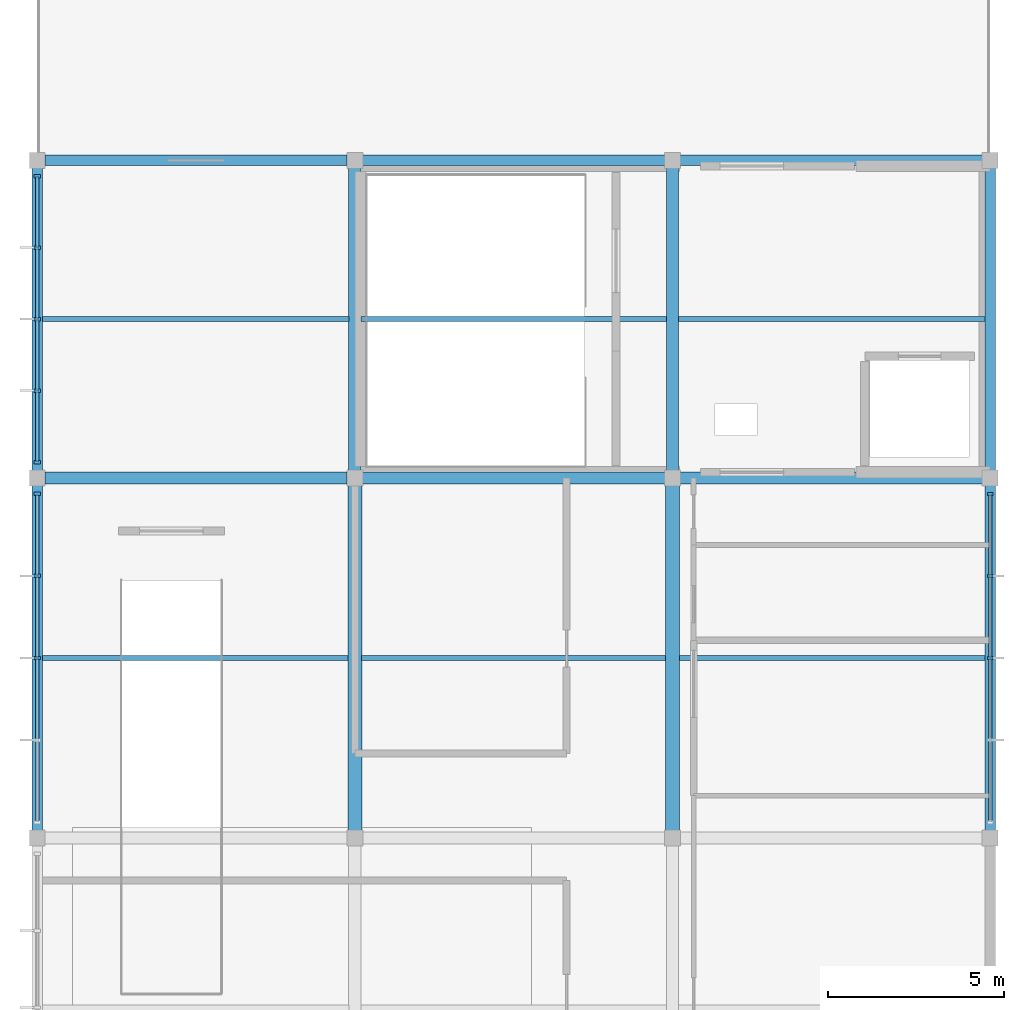
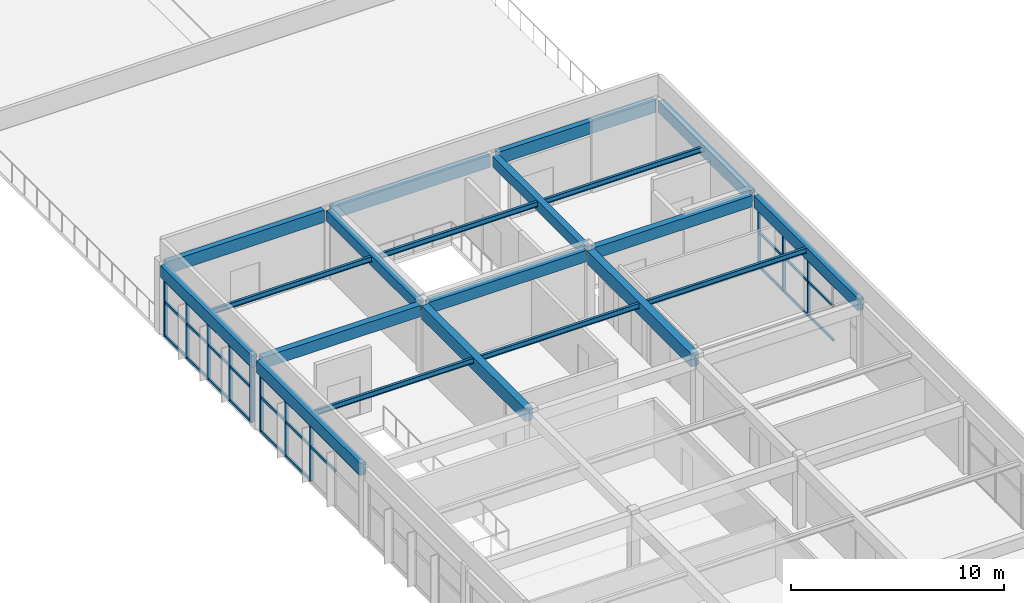
# One storey, part 4 of 10: 33 members, 20 beams, 3 elements without a shape of their own.
"""IFC4 building model written with IfcOpenShell, lengths in metres."""

from ifc_helpers import new_model, si_unit, direction, frame, origin, origin_2d, place, context, subcontext, project, spatial, rectangle, i_section, extrude, material, material_profile, profile_set, type_object, element, aggregate, save


model = new_model("IFC4")

# Units and contexts
model_context = context("Model", 3, precision=1e-05, world=origin(), true_north=direction((0.0, 1.0)))
body_context = subcontext(model_context, "Body", "Model", "MODEL_VIEW")
ifc_project = project(units=[si_unit("LENGTHUNIT", "METRE"), si_unit("AREAUNIT", "SQUARE_METRE"), si_unit("VOLUMEUNIT", "CUBIC_METRE"), si_unit("PLANEANGLEUNIT", "RADIAN"), si_unit("MASSUNIT", "GRAM", prefix="KILO")], contexts=[model_context])

# Site, building, storey
site_placement = place(None, origin())
site = spatial("IfcSite", under=ifc_project, at=site_placement, CompositionType="ELEMENT")
building_placement = place(site_placement, origin())
building = spatial("IfcBuilding", under=site, at=building_placement, Name="Suirenkawa Promenade Aquatics Centre", CompositionType="ELEMENT")
storey_placement = place(building_placement, frame((0.0, 0.0, 18.60009765625)))
storey = spatial("IfcBuildingStorey", under=building, at=storey_placement, Name="L04", CompositionType="ELEMENT", Elevation=18.60009765625)

# Beams
ifc_material_1 = material(Name="Steel IS 2062 E350 (Grade 350)", Category="steel")
ifc_material_profile_1 = material_profile(ifc_material_1, i_section(OverallWidth=0.139892578125, OverallDepth=0.300048828125, WebThickness=0.008056640625, FlangeThickness=0.012939453125, at=origin_2d()), Name="ISMB 300", Category="steel")
ifc_profile_set_1 = profile_set([ifc_material_profile_1], Name="Steel IS 2062 E350 (Grade 350)")
beam_type_1 = type_object("IfcBeamType", Name="BT-JOIST-ISMB300", PredefinedType="JOIST", material=ifc_profile_set_1)
beam_1_placement = place(storey_placement, frame((0.14404296875, 54.300048828125, 3.81787109375), z_axis=(1.0, 0.0, 0.0), x_axis=(0.0, 1.0, 0.0)))
element("IfcBeam", 1, at=beam_1_placement, inside=storey, type_object=beam_type_1, Name="Secondary floor joist JS-02 BM-0892", PredefinedType="JOIST", context=body_context, shape_type="SweptSolid", body=[
    extrude(i_section(OverallWidth=0.139892578125, OverallDepth=0.300048828125, WebThickness=0.008056640625, FlangeThickness=0.012939453125, at=origin_2d()), origin(), (0.0, 0.0, 1.0), 8.661865234375),
])
beam_2_placement = place(storey_placement, frame((0.14404296875, 63.89990234375, 3.81787109375), z_axis=(1.0, 0.0, 0.0), x_axis=(0.0, 1.0, 0.0)))
element("IfcBeam", 2, at=beam_2_placement, inside=storey, type_object=beam_type_1, Name="Secondary floor joist JS-02 BM-0893", PredefinedType="JOIST", context=body_context, shape_type="SweptSolid", body=[
    extrude(i_section(OverallWidth=0.139892578125, OverallDepth=0.300048828125, WebThickness=0.008056640625, FlangeThickness=0.012939453125, at=origin_2d()), origin(), (0.0, 0.0, 1.0), 8.68701171875),
])
beam_3_placement = place(storey_placement, frame((9.194091796875, 54.300048828125, 3.81787109375), z_axis=(1.0, 0.0, 0.0), x_axis=(0.0, 1.0, 0.0)))
element("IfcBeam", 3, at=beam_3_placement, inside=storey, type_object=beam_type_1, Name="Secondary floor joist JS-02 BM-0899", PredefinedType="JOIST", context=body_context, shape_type="SweptSolid", body=[
    extrude(i_section(OverallWidth=0.139892578125, OverallDepth=0.300048828125, WebThickness=0.008056640625, FlangeThickness=0.012939453125, at=origin_2d()), origin(), (0.0, 0.0, 1.0), 8.61181640625),
])
beam_4_placement = place(storey_placement, frame((9.1689453125, 63.89990234375, 3.81787109375), z_axis=(1.0, 0.0, 0.0), x_axis=(0.0, 1.0, 0.0)))
element("IfcBeam", 4, at=beam_4_placement, inside=storey, type_object=beam_type_1, Name="Secondary floor joist JS-02 BM-0900", PredefinedType="JOIST", context=body_context, shape_type="SweptSolid", body=[
    extrude(i_section(OverallWidth=0.139892578125, OverallDepth=0.300048828125, WebThickness=0.008056640625, FlangeThickness=0.012939453125, at=origin_2d()), origin(), (0.0, 0.0, 1.0), 8.662109375),
])
beam_5_placement = place(storey_placement, frame((18.194091796875, 54.300048828125, 3.81787109375), z_axis=(1.0, 0.0, 0.0), x_axis=(0.0, 1.0, 0.0)))
element("IfcBeam", 5, at=beam_5_placement, inside=storey, type_object=beam_type_1, Name="Secondary floor joist JS-02 BM-0906", PredefinedType="JOIST", context=body_context, shape_type="SweptSolid", body=[
    extrude(i_section(OverallWidth=0.139892578125, OverallDepth=0.300048828125, WebThickness=0.008056640625, FlangeThickness=0.012939453125, at=origin_2d()), origin(), (0.0, 0.0, 1.0), 8.661865234375),
])
beam_6_placement = place(storey_placement, frame((18.1689453125, 63.89990234375, 3.81787109375), z_axis=(1.0, 0.0, 0.0), x_axis=(0.0, 1.0, 0.0)))
element("IfcBeam", 6, at=beam_6_placement, inside=storey, type_object=beam_type_1, Name="Secondary floor joist JS-02 BM-0907", PredefinedType="JOIST", context=body_context, shape_type="SweptSolid", body=[
    extrude(i_section(OverallWidth=0.139892578125, OverallDepth=0.300048828125, WebThickness=0.008056640625, FlangeThickness=0.012939453125, at=origin_2d()), origin(), (0.0, 0.0, 1.0), 8.68701171875),
])
ifc_material_2 = material(Name="Concrete M35", Category="concrete")
ifc_material_profile_2 = material_profile(ifc_material_2, rectangle(XDim=0.35009765625, YDim=0.60009765625, at=origin_2d()), Name="RC BM 350x600", Category="concrete")
ifc_profile_set_2 = profile_set([ifc_material_profile_2], Name="Concrete M35")
beam_type_2 = type_object("IfcBeamType", Name="BT-RC-350x600", PredefinedType="BEAM", material=ifc_profile_set_2)
for number, where, z_axis, x_axis, name in (
    (7, (9.0, 59.618896484375, 3.669921875), (0.0, 1.0, 0.0), (-1.0, 0.0, 0.0), "Floor beam BM-02 BM-0872"),
    (8, (18.0, 59.618896484375, 3.669921875), (0.0, 1.0, 0.0), (-1.0, 0.0, 0.0), "Floor beam BM-02 BM-0879"),
):
    element("IfcBeam", number, at=place(storey_placement, frame(where, z_axis=z_axis, x_axis=x_axis)), inside=storey, type_object=beam_type_2, Name=name, PredefinedType="BEAM", context=body_context, shape_type="SweptSolid", body=[
        extrude(rectangle(XDim=0.35009765625, YDim=0.60009765625, at=origin_2d()), origin(), (0.0, 0.0, 1.0), 8.56201171875),
    ])
ifc_material_profile_3 = material_profile(ifc_material_2, rectangle(XDim=0.35009765625, YDim=0.64990234375, at=origin_2d()), Name="RC BM 350x650", Category="concrete")
ifc_profile_set_3 = profile_set([ifc_material_profile_3], Name="Concrete M35")
beam_type_3 = type_object("IfcBeamType", Name="BT-RC-350x650", PredefinedType="BEAM", material=ifc_profile_set_3)
for number, where, z_axis, x_axis, name in (
    (9, (0.218994140625, 59.39990234375, 3.64501953125), (1.0, 0.0, 0.0), (0.0, 1.0, 0.0), "Floor beam BM-03 BM-0853"),
    (10, (9.218994140625, 59.39990234375, 3.64501953125), (1.0, 0.0, 0.0), (0.0, 1.0, 0.0), "Floor beam BM-03 BM-0854"),
    (11, (18.218994140625, 59.39990234375, 3.64501953125), (1.0, 0.0, 0.0), (0.0, 1.0, 0.0), "Floor beam BM-03 BM-0855"),
):
    element("IfcBeam", number, at=place(storey_placement, frame(where, z_axis=z_axis, x_axis=x_axis)), inside=storey, type_object=beam_type_3, Name=name, PredefinedType="BEAM", context=body_context, shape_type="SweptSolid", body=[
        extrude(rectangle(XDim=0.35009765625, YDim=0.64990234375, at=origin_2d()), origin(), (0.0, 0.0, 1.0), 8.56201171875),
    ])
ifc_material_3 = material(Name="Concrete M40", Category="concrete")
ifc_material_profile_4 = material_profile(ifc_material_3, rectangle(XDim=0.39990234375, YDim=0.75, at=origin_2d()), Name="RC BM 400x750", Category="concrete")
ifc_profile_set_4 = profile_set([ifc_material_profile_4], Name="Concrete M40")
beam_type_4 = type_object("IfcBeamType", Name="BT-RC-400x750", PredefinedType="BEAM", material=ifc_profile_set_4)
for number, where, z_axis, x_axis, name in (
    (12, (9.0, 49.4189453125, 3.594970703125), (0.0, 1.0, 0.0), (-1.0, 0.0, 0.0), "Floor beam BM-05 BM-0871"),
    (13, (18.0, 49.4189453125, 3.594970703125), (0.0, 1.0, 0.0), (-1.0, 0.0, 0.0), "Floor beam BM-05 BM-0878"),
):
    element("IfcBeam", number, at=place(storey_placement, frame(where, z_axis=z_axis, x_axis=x_axis)), inside=storey, type_object=beam_type_4, Name=name, PredefinedType="BEAM", context=body_context, shape_type="SweptSolid", body=[
        extrude(rectangle(XDim=0.39990234375, YDim=0.75, at=origin_2d()), origin(), (0.0, 0.0, 1.0), 9.761962890625),
    ])
ifc_material_profile_5 = material_profile(ifc_material_3, rectangle(XDim=0.300048828125, YDim=0.699951171875, at=origin_2d()), Name="RC SPANDREL 300x700", Category="concrete")
ifc_profile_set_5 = profile_set([ifc_material_profile_5], Name="Concrete M40")
beam_type_5 = type_object("IfcBeamType", Name="BT-SPANDREL-300x700", PredefinedType="SPANDREL", material=ifc_profile_set_5)
for number, where, z_axis, x_axis, name in (
    (14, (0.218994140625, 68.39990234375, 3.619873046875), (1.0, 0.0, 0.0), (0.0, 1.0, 0.0), "Floor beam SP-01 BM-0856"),
    (15, (9.218994140625, 68.39990234375, 3.619873046875), (1.0, 0.0, 0.0), (0.0, 1.0, 0.0), "Floor beam SP-01 BM-0857"),
    (16, (18.218994140625, 68.39990234375, 3.619873046875), (1.0, 0.0, 0.0), (0.0, 1.0, 0.0), "Floor beam SP-01 BM-0858"),
):
    element("IfcBeam", number, at=place(storey_placement, frame(where, z_axis=z_axis, x_axis=x_axis)), inside=storey, type_object=beam_type_5, Name=name, PredefinedType="SPANDREL", context=body_context, shape_type="SweptSolid", body=[
        extrude(rectangle(XDim=0.300048828125, YDim=0.699951171875, at=origin_2d()), origin(), (0.0, 0.0, 1.0), 8.56201171875),
    ])
beam_7_placement = place(storey_placement, frame((0.0, 49.4189453125, 3.619873046875), z_axis=(0.0, 1.0, 0.0), x_axis=(-1.0, 0.0, 0.0)))
element("IfcBeam", 17, at=beam_7_placement, inside=storey, type_object=beam_type_5, Name="Floor beam SP-01 BM-0864", PredefinedType="SPANDREL", context=body_context, shape_type="SweptSolid", body=[
    extrude(rectangle(XDim=0.300048828125, YDim=0.699951171875, at=origin_2d()), origin(), (0.0, 0.0, 1.0), 9.761962890625),
])
beam_8_placement = place(storey_placement, frame((0.0, 59.618896484375, 3.619873046875), z_axis=(0.0, 1.0, 0.0), x_axis=(-1.0, 0.0, 0.0)))
element("IfcBeam", 18, at=beam_8_placement, inside=storey, type_object=beam_type_5, Name="Floor beam SP-01 BM-0865", PredefinedType="SPANDREL", context=body_context, shape_type="SweptSolid", body=[
    extrude(rectangle(XDim=0.300048828125, YDim=0.699951171875, at=origin_2d()), origin(), (0.0, 0.0, 1.0), 8.56201171875),
])
beam_9_placement = place(storey_placement, frame((27.0, 49.4189453125, 3.619873046875), z_axis=(0.0, 1.0, 0.0), x_axis=(-1.0, 0.0, 0.0)))
element("IfcBeam", 19, at=beam_9_placement, inside=storey, type_object=beam_type_5, Name="Floor beam SP-01 BM-0885", PredefinedType="SPANDREL", context=body_context, shape_type="SweptSolid", body=[
    extrude(rectangle(XDim=0.300048828125, YDim=0.699951171875, at=origin_2d()), origin(), (0.0, 0.0, 1.0), 9.761962890625),
])
beam_10_placement = place(storey_placement, frame((27.0, 59.618896484375, 3.619873046875), z_axis=(0.0, 1.0, 0.0), x_axis=(-1.0, 0.0, 0.0)))
element("IfcBeam", 20, at=beam_10_placement, inside=storey, type_object=beam_type_5, Name="Floor beam SP-01 BM-0886", PredefinedType="SPANDREL", context=body_context, shape_type="SweptSolid", body=[
    extrude(rectangle(XDim=0.300048828125, YDim=0.699951171875, at=origin_2d()), origin(), (0.0, 0.0, 1.0), 8.56201171875),
])

# Curtain wall, members
ifc_material_4 = material(Name="Anodised aluminium 6063-T6", Category="aluminium")
curtain_wall_type_1 = type_object("IfcCurtainWallType", Name="CWAT-V5EL04-85", PredefinedType="NOTDEFINED", material=ifc_material_4)
curtain_wall_1_placement = place(storey_placement, origin())
curtain_wall_1 = element("IfcCurtainWall", 21, at=curtain_wall_1_placement, inside=storey, type_object=curtain_wall_type_1, Name="Curtain wall CWA-85 CW-152", PredefinedType="NOTDEFINED")
ifc_material_profile_6 = material_profile(ifc_material_4, rectangle(XDim=0.090087890625, YDim=0.159912109375, at=origin_2d()), Name="ALU MULL 90x160", Category="aluminium")
ifc_profile_set_6 = profile_set([ifc_material_profile_6], Name="Anodised aluminium 6063-T6")
member_type_1 = type_object("IfcMemberType", Name="CWM-160x90", PredefinedType="MULLION", material=ifc_profile_set_6)
member_1_placement = place(storey_placement, frame((27.0, 58.950927734375, 0.0), z_axis=(0.0, 0.0, 1.0), x_axis=(0.0, -1.0, 0.0)))
member_1 = element("IfcMember", 22, at=member_1_placement, type_object=member_type_1, Name="Mullion ML-03 CWM-03098", PredefinedType="MULLION", context=body_context, shape_type="SweptSolid", body=[
    extrude(rectangle(XDim=0.090087890625, YDim=0.159912109375, at=origin_2d()), origin(), (0.0, 0.0, 1.0), 3.1748046875),
])
member_2_placement = place(storey_placement, frame((27.0, 56.62548828125, 0.0), z_axis=(0.0, 0.0, 1.0), x_axis=(0.0, -1.0, 0.0)))
member_2 = element("IfcMember", 23, at=member_2_placement, type_object=member_type_1, Name="Mullion ML-03 CWM-03099", PredefinedType="MULLION", context=body_context, shape_type="SweptSolid", body=[
    extrude(rectangle(XDim=0.090087890625, YDim=0.159912109375, at=origin_2d()), origin(), (0.0, 0.0, 1.0), 3.1748046875),
])
member_3_placement = place(storey_placement, frame((27.0, 54.300048828125, 0.0), z_axis=(0.0, 0.0, 1.0), x_axis=(0.0, -1.0, 0.0)))
member_3 = element("IfcMember", 24, at=member_3_placement, type_object=member_type_1, Name="Mullion ML-03 CWM-03100", PredefinedType="MULLION", context=body_context, shape_type="SweptSolid", body=[
    extrude(rectangle(XDim=0.090087890625, YDim=0.159912109375, at=origin_2d()), origin(), (0.0, 0.0, 1.0), 3.1748046875),
])

curtain_wall_type_2 = type_object("IfcCurtainWallType", Name="CWAT-V5WL04-84", PredefinedType="NOTDEFINED", material=ifc_material_4)
curtain_wall_2_placement = place(storey_placement, origin())
curtain_wall_2 = element("IfcCurtainWall", 25, at=curtain_wall_2_placement, inside=storey, type_object=curtain_wall_type_2, Name="Curtain wall CWA-84 CW-151", PredefinedType="NOTDEFINED")
ifc_material_profile_7 = material_profile(ifc_material_4, rectangle(XDim=0.094970703125, YDim=0.18994140625, at=origin_2d()), Name="ALU MULL 95x190", Category="aluminium")
ifc_profile_set_7 = profile_set([ifc_material_profile_7], Name="Anodised aluminium 6063-T6")
member_type_2 = type_object("IfcMemberType", Name="CWM-190x95", PredefinedType="MULLION", material=ifc_profile_set_7)
member_4_placement = place(storey_placement, frame((0.0, 54.300048828125, 0.0), z_axis=(0.0, 0.0, 1.0), x_axis=(0.0, 1.0, 0.0)))
member_4 = element("IfcMember", 26, at=member_4_placement, type_object=member_type_2, Name="Mullion ML-02 CWM-03078", PredefinedType="MULLION", context=body_context, shape_type="SweptSolid", body=[
    extrude(rectangle(XDim=0.094970703125, YDim=0.18994140625, at=origin_2d()), origin(), (0.0, 0.0, 1.0), 3.1748046875),
])
member_5_placement = place(storey_placement, frame((0.0, 56.62548828125, 0.0), z_axis=(0.0, 0.0, 1.0), x_axis=(0.0, 1.0, 0.0)))
member_5 = element("IfcMember", 27, at=member_5_placement, type_object=member_type_2, Name="Mullion ML-02 CWM-03079", PredefinedType="MULLION", context=body_context, shape_type="SweptSolid", body=[
    extrude(rectangle(XDim=0.094970703125, YDim=0.18994140625, at=origin_2d()), origin(), (0.0, 0.0, 1.0), 3.1748046875),
])
member_6_placement = place(storey_placement, frame((0.0, 58.950927734375, 0.0), z_axis=(0.0, 0.0, 1.0), x_axis=(0.0, 1.0, 0.0)))
member_6 = element("IfcMember", 28, at=member_6_placement, type_object=member_type_2, Name="Mullion ML-02 CWM-03080", PredefinedType="MULLION", context=body_context, shape_type="SweptSolid", body=[
    extrude(rectangle(XDim=0.094970703125, YDim=0.18994140625, at=origin_2d()), origin(), (0.0, 0.0, 1.0), 3.1748046875),
])

curtain_wall_type_3 = type_object("IfcCurtainWallType", Name="CWAT-V5WL04-79", PredefinedType="NOTDEFINED", material=ifc_material_4)
curtain_wall_3_placement = place(storey_placement, origin())
curtain_wall_3 = element("IfcCurtainWall", 29, at=curtain_wall_3_placement, inside=storey, type_object=curtain_wall_type_3, Name="Curtain wall CWA-79 CW-153", PredefinedType="NOTDEFINED")
member_7_placement = place(storey_placement, frame((0.0, 59.84912109375, 0.0), z_axis=(0.0, 0.0, 1.0), x_axis=(0.0, 1.0, 0.0)))
member_7 = element("IfcMember", 30, at=member_7_placement, type_object=member_type_2, Name="Mullion ML-02 CWM-03120", PredefinedType="MULLION", context=body_context, shape_type="SweptSolid", body=[
    extrude(rectangle(XDim=0.094970703125, YDim=0.18994140625, at=origin_2d()), origin(), (0.0, 0.0, 1.0), 3.1748046875),
])
member_8_placement = place(storey_placement, frame((0.0, 61.87451171875, 0.0), z_axis=(0.0, 0.0, 1.0), x_axis=(0.0, 1.0, 0.0)))
member_8 = element("IfcMember", 31, at=member_8_placement, type_object=member_type_2, Name="Mullion ML-02 CWM-03121", PredefinedType="MULLION", context=body_context, shape_type="SweptSolid", body=[
    extrude(rectangle(XDim=0.094970703125, YDim=0.18994140625, at=origin_2d()), origin(), (0.0, 0.0, 1.0), 3.1748046875),
])
member_9_placement = place(storey_placement, frame((0.0, 63.89990234375, 0.0), z_axis=(0.0, 0.0, 1.0), x_axis=(0.0, 1.0, 0.0)))
member_9 = element("IfcMember", 32, at=member_9_placement, type_object=member_type_2, Name="Mullion ML-02 CWM-03122", PredefinedType="MULLION", context=body_context, shape_type="SweptSolid", body=[
    extrude(rectangle(XDim=0.094970703125, YDim=0.18994140625, at=origin_2d()), origin(), (0.0, 0.0, 1.0), 3.1748046875),
])
member_10_placement = place(storey_placement, frame((0.0, 65.925537109375, 0.0), z_axis=(0.0, 0.0, 1.0), x_axis=(0.0, 1.0, 0.0)))
member_10 = element("IfcMember", 33, at=member_10_placement, type_object=member_type_2, Name="Mullion ML-02 CWM-03123", PredefinedType="MULLION", context=body_context, shape_type="SweptSolid", body=[
    extrude(rectangle(XDim=0.094970703125, YDim=0.18994140625, at=origin_2d()), origin(), (0.0, 0.0, 1.0), 3.1748046875),
])
member_11_placement = place(storey_placement, frame((0.0, 67.950927734375, 0.0), z_axis=(0.0, 0.0, 1.0), x_axis=(0.0, 1.0, 0.0)))
member_11 = element("IfcMember", 34, at=member_11_placement, type_object=member_type_2, Name="Mullion ML-02 CWM-03124", PredefinedType="MULLION", context=body_context, shape_type="SweptSolid", body=[
    extrude(rectangle(XDim=0.094970703125, YDim=0.18994140625, at=origin_2d()), origin(), (0.0, 0.0, 1.0), 3.1748046875),
])

# Member
ifc_material_profile_8 = material_profile(ifc_material_4, rectangle(XDim=0.090087890625, YDim=0.1298828125, at=origin_2d()), Name="ALU TRAN 90x130", Category="aluminium")
ifc_profile_set_8 = profile_set([ifc_material_profile_8], Name="Anodised aluminium 6063-T6")
member_type_3 = type_object("IfcMemberType", Name="CWT-130x90", PredefinedType="USERDEFINED", material=ifc_profile_set_8)
member_12_placement = place(storey_placement, frame((27.0, 58.950927734375, 0.0), z_axis=(0.0, -1.0, 0.0), x_axis=(1.0, 0.0, 0.0)))
member_12 = element("IfcMember", 35, at=member_12_placement, type_object=member_type_3, Name="Transom TR-03 CWT-03103", ObjectType="TRANSOM", PredefinedType="USERDEFINED", context=body_context, shape_type="SweptSolid", body=[
    extrude(rectangle(XDim=0.090087890625, YDim=0.1298828125, at=origin_2d()), origin(), (0.0, 0.0, 1.0), 2.325439453125),
])

member_13_placement = place(storey_placement, frame((27.0, 56.62548828125, 0.0), z_axis=(0.0, -1.0, 0.0), x_axis=(1.0, 0.0, 0.0)))
member_13 = element("IfcMember", 36, at=member_13_placement, type_object=member_type_3, Name="Transom TR-03 CWT-03104", ObjectType="TRANSOM", PredefinedType="USERDEFINED", context=body_context, shape_type="SweptSolid", body=[
    extrude(rectangle(XDim=0.090087890625, YDim=0.1298828125, at=origin_2d()), origin(), (0.0, 0.0, 1.0), 2.325439453125),
])

member_14_placement = place(storey_placement, frame((27.0, 54.300048828125, 0.0), z_axis=(0.0, -1.0, 0.0), x_axis=(1.0, 0.0, 0.0)))
member_14 = element("IfcMember", 37, at=member_14_placement, type_object=member_type_3, Name="Transom TR-03 CWT-03105", ObjectType="TRANSOM", PredefinedType="USERDEFINED", context=body_context, shape_type="SweptSolid", body=[
    extrude(rectangle(XDim=0.090087890625, YDim=0.1298828125, at=origin_2d()), origin(), (0.0, 0.0, 1.0), 2.325439453125),
])

member_15_placement = place(storey_placement, frame((27.0, 58.950927734375, 1.949951171875), z_axis=(0.0, -1.0, 0.0), x_axis=(1.0, 0.0, 0.0)))
member_15 = element("IfcMember", 38, at=member_15_placement, type_object=member_type_3, Name="Transom TR-03 CWT-03107", ObjectType="TRANSOM", PredefinedType="USERDEFINED", context=body_context, shape_type="SweptSolid", body=[
    extrude(rectangle(XDim=0.090087890625, YDim=0.1298828125, at=origin_2d()), origin(), (0.0, 0.0, 1.0), 2.325439453125),
])

member_16_placement = place(storey_placement, frame((27.0, 56.62548828125, 1.949951171875), z_axis=(0.0, -1.0, 0.0), x_axis=(1.0, 0.0, 0.0)))
member_16 = element("IfcMember", 39, at=member_16_placement, type_object=member_type_3, Name="Transom TR-03 CWT-03108", ObjectType="TRANSOM", PredefinedType="USERDEFINED", context=body_context, shape_type="SweptSolid", body=[
    extrude(rectangle(XDim=0.090087890625, YDim=0.1298828125, at=origin_2d()), origin(), (0.0, 0.0, 1.0), 2.325439453125),
])

member_17_placement = place(storey_placement, frame((27.0, 54.300048828125, 1.949951171875), z_axis=(0.0, -1.0, 0.0), x_axis=(1.0, 0.0, 0.0)))
member_17 = element("IfcMember", 40, at=member_17_placement, type_object=member_type_3, Name="Transom TR-03 CWT-03109", ObjectType="TRANSOM", PredefinedType="USERDEFINED", context=body_context, shape_type="SweptSolid", body=[
    extrude(rectangle(XDim=0.090087890625, YDim=0.1298828125, at=origin_2d()), origin(), (0.0, 0.0, 1.0), 2.325439453125),
])

member_18_placement = place(storey_placement, frame((27.0, 58.950927734375, 3.1748046875), z_axis=(0.0, -1.0, 0.0), x_axis=(1.0, 0.0, 0.0)))
member_18 = element("IfcMember", 41, at=member_18_placement, type_object=member_type_3, Name="Roofline transom TR-03 CWT-03111", ObjectType="TRANSOM", PredefinedType="USERDEFINED", context=body_context, shape_type="SweptSolid", body=[
    extrude(rectangle(XDim=0.090087890625, YDim=0.1298828125, at=origin_2d()), origin(), (0.0, 0.0, 1.0), 9.302001953125),
])

aggregate(curtain_wall_1, [member_1, member_2, member_3, member_12, member_13, member_14, member_15, member_16, member_17, member_18])

ifc_material_profile_9 = material_profile(ifc_material_4, rectangle(XDim=0.094970703125, YDim=0.14990234375, at=origin_2d()), Name="ALU TRAN 95x150", Category="aluminium")
ifc_profile_set_9 = profile_set([ifc_material_profile_9], Name="Anodised aluminium 6063-T6")
member_type_4 = type_object("IfcMemberType", Name="CWT-150x95", PredefinedType="USERDEFINED", material=ifc_profile_set_9)
member_19_placement = place(storey_placement, frame((0.0, 54.300048828125, 0.0), z_axis=(0.0, 1.0, 0.0), x_axis=(-1.0, 0.0, 0.0)))
member_19 = element("IfcMember", 42, at=member_19_placement, type_object=member_type_4, Name="Transom TR-02 CWT-03083", ObjectType="TRANSOM", PredefinedType="USERDEFINED", context=body_context, shape_type="SweptSolid", body=[
    extrude(rectangle(XDim=0.094970703125, YDim=0.14990234375, at=origin_2d()), origin(), (0.0, 0.0, 1.0), 2.325439453125),
])

member_20_placement = place(storey_placement, frame((0.0, 56.62548828125, 0.0), z_axis=(0.0, 1.0, 0.0), x_axis=(-1.0, 0.0, 0.0)))
member_20 = element("IfcMember", 43, at=member_20_placement, type_object=member_type_4, Name="Transom TR-02 CWT-03084", ObjectType="TRANSOM", PredefinedType="USERDEFINED", context=body_context, shape_type="SweptSolid", body=[
    extrude(rectangle(XDim=0.094970703125, YDim=0.14990234375, at=origin_2d()), origin(), (0.0, 0.0, 1.0), 2.325439453125),
])

member_21_placement = place(storey_placement, frame((0.0, 51.974609375, 1.949951171875), z_axis=(0.0, 1.0, 0.0), x_axis=(-1.0, 0.0, 0.0)))
member_21 = element("IfcMember", 44, at=member_21_placement, type_object=member_type_4, Name="Transom TR-02 CWT-03086", ObjectType="TRANSOM", PredefinedType="USERDEFINED", context=body_context, shape_type="SweptSolid", body=[
    extrude(rectangle(XDim=0.094970703125, YDim=0.14990234375, at=origin_2d()), origin(), (0.0, 0.0, 1.0), 2.325439453125),
])

member_22_placement = place(storey_placement, frame((0.0, 54.300048828125, 1.949951171875), z_axis=(0.0, 1.0, 0.0), x_axis=(-1.0, 0.0, 0.0)))
member_22 = element("IfcMember", 45, at=member_22_placement, type_object=member_type_4, Name="Transom TR-02 CWT-03087", ObjectType="TRANSOM", PredefinedType="USERDEFINED", context=body_context, shape_type="SweptSolid", body=[
    extrude(rectangle(XDim=0.094970703125, YDim=0.14990234375, at=origin_2d()), origin(), (0.0, 0.0, 1.0), 2.325439453125),
])

member_23_placement = place(storey_placement, frame((0.0, 56.62548828125, 1.949951171875), z_axis=(0.0, 1.0, 0.0), x_axis=(-1.0, 0.0, 0.0)))
member_23 = element("IfcMember", 46, at=member_23_placement, type_object=member_type_4, Name="Transom TR-02 CWT-03088", ObjectType="TRANSOM", PredefinedType="USERDEFINED", context=body_context, shape_type="SweptSolid", body=[
    extrude(rectangle(XDim=0.094970703125, YDim=0.14990234375, at=origin_2d()), origin(), (0.0, 0.0, 1.0), 2.325439453125),
])

member_24_placement = place(storey_placement, frame((0.0, 49.64892578125, 3.1748046875), z_axis=(0.0, 1.0, 0.0), x_axis=(-1.0, 0.0, 0.0)))
member_24 = element("IfcMember", 47, at=member_24_placement, type_object=member_type_4, Name="Roofline transom TR-02 CWT-03089", ObjectType="TRANSOM", PredefinedType="USERDEFINED", context=body_context, shape_type="SweptSolid", body=[
    extrude(rectangle(XDim=0.094970703125, YDim=0.14990234375, at=origin_2d()), origin(), (0.0, 0.0, 1.0), 9.302001953125),
])

aggregate(curtain_wall_2, [member_4, member_5, member_6, member_19, member_20, member_21, member_22, member_23, member_24])

member_25_placement = place(storey_placement, frame((0.0, 59.84912109375, 0.0), z_axis=(0.0, 1.0, 0.0), x_axis=(-1.0, 0.0, 0.0)))
member_25 = element("IfcMember", 48, at=member_25_placement, type_object=member_type_4, Name="Transom TR-02 CWT-03125", ObjectType="TRANSOM", PredefinedType="USERDEFINED", context=body_context, shape_type="SweptSolid", body=[
    extrude(rectangle(XDim=0.094970703125, YDim=0.14990234375, at=origin_2d()), origin(), (0.0, 0.0, 1.0), 2.025390625),
])

member_26_placement = place(storey_placement, frame((0.0, 61.87451171875, 0.0), z_axis=(0.0, 1.0, 0.0), x_axis=(-1.0, 0.0, 0.0)))
member_26 = element("IfcMember", 49, at=member_26_placement, type_object=member_type_4, Name="Transom TR-02 CWT-03126", ObjectType="TRANSOM", PredefinedType="USERDEFINED", context=body_context, shape_type="SweptSolid", body=[
    extrude(rectangle(XDim=0.094970703125, YDim=0.14990234375, at=origin_2d()), origin(), (0.0, 0.0, 1.0), 2.025390625),
])

member_27_placement = place(storey_placement, frame((0.0, 63.89990234375, 0.0), z_axis=(0.0, 1.0, 0.0), x_axis=(-1.0, 0.0, 0.0)))
member_27 = element("IfcMember", 50, at=member_27_placement, type_object=member_type_4, Name="Transom TR-02 CWT-03127", ObjectType="TRANSOM", PredefinedType="USERDEFINED", context=body_context, shape_type="SweptSolid", body=[
    extrude(rectangle(XDim=0.094970703125, YDim=0.14990234375, at=origin_2d()), origin(), (0.0, 0.0, 1.0), 2.025634765625),
])

member_28_placement = place(storey_placement, frame((0.0, 65.925537109375, 0.0), z_axis=(0.0, 1.0, 0.0), x_axis=(-1.0, 0.0, 0.0)))
member_28 = element("IfcMember", 51, at=member_28_placement, type_object=member_type_4, Name="Transom TR-02 CWT-03128", ObjectType="TRANSOM", PredefinedType="USERDEFINED", context=body_context, shape_type="SweptSolid", body=[
    extrude(rectangle(XDim=0.094970703125, YDim=0.14990234375, at=origin_2d()), origin(), (0.0, 0.0, 1.0), 2.025390625),
])

member_29_placement = place(storey_placement, frame((0.0, 59.84912109375, 1.949951171875), z_axis=(0.0, 1.0, 0.0), x_axis=(-1.0, 0.0, 0.0)))
member_29 = element("IfcMember", 52, at=member_29_placement, type_object=member_type_4, Name="Transom TR-02 CWT-03129", ObjectType="TRANSOM", PredefinedType="USERDEFINED", context=body_context, shape_type="SweptSolid", body=[
    extrude(rectangle(XDim=0.094970703125, YDim=0.14990234375, at=origin_2d()), origin(), (0.0, 0.0, 1.0), 2.025390625),
])

member_30_placement = place(storey_placement, frame((0.0, 61.87451171875, 1.949951171875), z_axis=(0.0, 1.0, 0.0), x_axis=(-1.0, 0.0, 0.0)))
member_30 = element("IfcMember", 53, at=member_30_placement, type_object=member_type_4, Name="Transom TR-02 CWT-03130", ObjectType="TRANSOM", PredefinedType="USERDEFINED", context=body_context, shape_type="SweptSolid", body=[
    extrude(rectangle(XDim=0.094970703125, YDim=0.14990234375, at=origin_2d()), origin(), (0.0, 0.0, 1.0), 2.025390625),
])

member_31_placement = place(storey_placement, frame((0.0, 63.89990234375, 1.949951171875), z_axis=(0.0, 1.0, 0.0), x_axis=(-1.0, 0.0, 0.0)))
member_31 = element("IfcMember", 54, at=member_31_placement, type_object=member_type_4, Name="Transom TR-02 CWT-03131", ObjectType="TRANSOM", PredefinedType="USERDEFINED", context=body_context, shape_type="SweptSolid", body=[
    extrude(rectangle(XDim=0.094970703125, YDim=0.14990234375, at=origin_2d()), origin(), (0.0, 0.0, 1.0), 2.025634765625),
])

member_32_placement = place(storey_placement, frame((0.0, 65.925537109375, 1.949951171875), z_axis=(0.0, 1.0, 0.0), x_axis=(-1.0, 0.0, 0.0)))
member_32 = element("IfcMember", 55, at=member_32_placement, type_object=member_type_4, Name="Transom TR-02 CWT-03132", ObjectType="TRANSOM", PredefinedType="USERDEFINED", context=body_context, shape_type="SweptSolid", body=[
    extrude(rectangle(XDim=0.094970703125, YDim=0.14990234375, at=origin_2d()), origin(), (0.0, 0.0, 1.0), 2.025390625),
])

member_33_placement = place(storey_placement, frame((0.0, 59.84912109375, 3.1748046875), z_axis=(0.0, 1.0, 0.0), x_axis=(-1.0, 0.0, 0.0)))
member_33 = element("IfcMember", 56, at=member_33_placement, type_object=member_type_4, Name="Roofline transom TR-02 CWT-03133", ObjectType="TRANSOM", PredefinedType="USERDEFINED", context=body_context, shape_type="SweptSolid", body=[
    extrude(rectangle(XDim=0.094970703125, YDim=0.14990234375, at=origin_2d()), origin(), (0.0, 0.0, 1.0), 8.101806640625),
])

aggregate(curtain_wall_3, [member_7, member_8, member_9, member_10, member_11, member_25, member_26, member_27, member_28, member_29, member_30, member_31, member_32, member_33])

save(model, "model.ifc")
